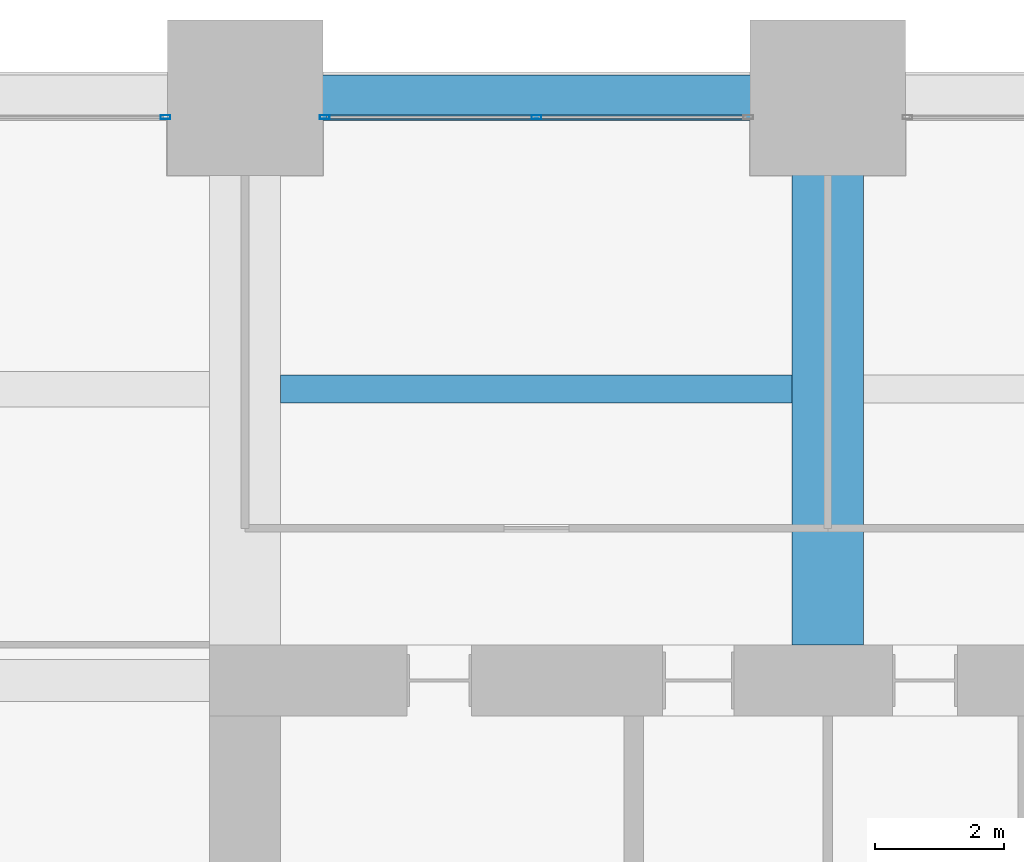
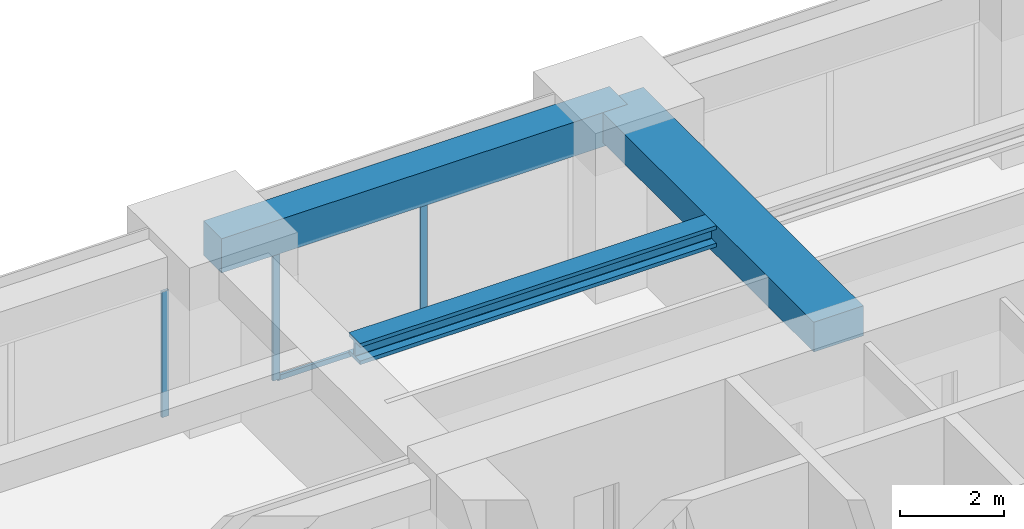
# One storey, part 28 of 39: 4 members, 3 beams, 2 elements without a shape of their own.
"""IFC4 building model written with IfcOpenShell, lengths in metres."""

from ifc_helpers import new_model, si_unit, direction, frame, origin, origin_2d, place, context, subcontext, project, spatial, rectangle, hollow_rectangle, i_section, extrude, material, material_profile, profile_set, type_object, element, aggregate, save


model = new_model("IFC4")

# Units and contexts
model_context = context("Model", 3, precision=1e-05, world=origin(), true_north=direction((0.0, 1.0)))
body_context = subcontext(model_context, "Body", "Model", "MODEL_VIEW")
ifc_project = project(units=[si_unit("LENGTHUNIT", "METRE"), si_unit("AREAUNIT", "SQUARE_METRE"), si_unit("VOLUMEUNIT", "CUBIC_METRE"), si_unit("PLANEANGLEUNIT", "RADIAN"), si_unit("MASSUNIT", "GRAM", prefix="KILO")], contexts=[model_context])

# Site, building, storey
site_placement = place(None, origin())
site = spatial("IfcSite", under=ifc_project, at=site_placement, CompositionType="ELEMENT")
building_placement = place(site_placement, origin())
building = spatial("IfcBuilding", under=site, at=building_placement, Name="Zorevar Civic Tower", CompositionType="ELEMENT")
storey_placement = place(building_placement, frame((0.0, 0.0, 121.0)))
storey = spatial("IfcBuildingStorey", under=building, at=storey_placement, Name="L29", CompositionType="ELEMENT", Elevation=121.0)

# Beam
ifc_material_1 = material(Name="Concrete C50/60", Category="concrete")
ifc_material_profile_1 = material_profile(ifc_material_1, rectangle(XDim=1.10009765625, YDim=0.699951171875, at=origin_2d()), Name="RC 1100x700")
ifc_profile_set_1 = profile_set([ifc_material_profile_1], Name="Concrete C50/60")
beam_type_1 = type_object("IfcBeamType", Name="Beam RC 1100x700", PredefinedType="BEAM", material=ifc_profile_set_1)
beam_1_placement = place(storey_placement, frame((27.0, 36.550048828125, 3.39990234375), z_axis=(0.0, 1.0, 0.0), x_axis=(-1.0, 0.0, 0.0)))
element("IfcBeam", 1, at=beam_1_placement, inside=storey, type_object=beam_type_1, Name="Girder L30", PredefinedType="BEAM", context=body_context, shape_type="SweptSolid", body=[
    extrude(rectangle(XDim=1.10009765625, YDim=0.699951171875, at=origin_2d()), origin(), (0.0, 0.0, 1.0), 8.449951171875),
])

# Curtain wall, member
ifc_material_2 = material(Name="Dark grey solar-control glass in black aluminium frame", Category="aluminium")
curtain_wall_type = type_object("IfcCurtainWallType", Name="Curtain wall CW3 mid zone", PredefinedType="NOTDEFINED", material=ifc_material_2)
curtain_wall_1_placement = place(storey_placement, origin())
curtain_wall_1 = element("IfcCurtainWall", 2, at=curtain_wall_1_placement, inside=storey, type_object=curtain_wall_type, Name="CW3 L29", PredefinedType="NOTDEFINED")
ifc_material_3 = material(Name="Aluminium, black anodised", Category="aluminium")
ifc_material_profile_2 = material_profile(ifc_material_3, hollow_rectangle(XDim=0.06005859375, YDim=0.14990234375, WallThickness=0.00390625, at=origin_2d()), Name="AL 150x60x4")
ifc_profile_set_2 = profile_set([ifc_material_profile_2], Name="Aluminium, black anodised")
member_type_1 = type_object("IfcMemberType", Name="CW3 mullion AL 150x60x4", PredefinedType="MULLION", material=ifc_profile_set_2)
member_1_placement = place(storey_placement, frame((16.77001953125, 44.699951171875, 0.0), z_axis=(0.0, 0.0, 1.0), x_axis=(0.0, 1.0, 0.0)))
member_1 = element("IfcMember", 3, at=member_1_placement, type_object=member_type_1, Name="CW3 mullion 3", PredefinedType="MULLION", context=body_context, shape_type="SweptSolid", body=[
    extrude(hollow_rectangle(XDim=0.06005859375, YDim=0.14990234375, WallThickness=0.00390625, at=origin_2d()), origin(), (0.0, 0.0, 1.0), 2.949951171875),
])
aggregate(curtain_wall_1, [member_1])

# Curtain wall, members
curtain_wall_2_placement = place(storey_placement, origin())
curtain_wall_2 = element("IfcCurtainWall", 4, at=curtain_wall_2_placement, inside=storey, type_object=curtain_wall_type, Name="CW3 L29", PredefinedType="NOTDEFINED")
member_2_placement = place(storey_placement, frame((19.22998046875, 44.699951171875, 0.0), z_axis=(0.0, 0.0, 1.0), x_axis=(0.0, 1.0, 0.0)))
member_2 = element("IfcMember", 5, at=member_2_placement, type_object=member_type_1, Name="CW3 mullion 1", PredefinedType="MULLION", context=body_context, shape_type="SweptSolid", body=[
    extrude(hollow_rectangle(XDim=0.06005859375, YDim=0.14990234375, WallThickness=0.00390625, at=origin_2d()), origin(), (0.0, 0.0, 1.0), 2.949951171875),
])
member_3_placement = place(storey_placement, frame((22.5, 44.699951171875, 0.06005859375), z_axis=(0.0, 0.0, 1.0), x_axis=(0.0, 1.0, 0.0)))
member_3 = element("IfcMember", 6, at=member_3_placement, type_object=member_type_1, Name="CW3 mullion 2", PredefinedType="MULLION", context=body_context, shape_type="SweptSolid", body=[
    extrude(hollow_rectangle(XDim=0.06005859375, YDim=0.14990234375, WallThickness=0.00390625, at=origin_2d()), origin(), (0.0, 0.0, 1.0), 2.889892578125),
])
ifc_material_4 = material(Name="Aluminium, black anodised", Category="aluminium")
ifc_material_profile_3 = material_profile(ifc_material_4, hollow_rectangle(XDim=0.06005859375, YDim=0.1201171875, WallThickness=0.0029296875, at=origin_2d()), Name="AL 120x60x3")
ifc_profile_set_3 = profile_set([ifc_material_profile_3], Name="Aluminium, black anodised")
member_type_2 = type_object("IfcMemberType", Name="CW3 transom AL 120x60x3", PredefinedType="USERDEFINED", material=ifc_profile_set_3)
member_4_placement = place(storey_placement, frame((19.260009765625, 44.699951171875, 0.030029296875), z_axis=(1.0, 0.0, 0.0), x_axis=(0.0, 1.0, 0.0)))
member_4 = element("IfcMember", 7, at=member_4_placement, type_object=member_type_2, Name="CW3 sill transom", ObjectType="TRANSOM", PredefinedType="USERDEFINED", context=body_context, shape_type="SweptSolid", body=[
    extrude(hollow_rectangle(XDim=0.06005859375, YDim=0.1201171875, WallThickness=0.0029296875, at=origin_2d()), origin(), (0.0, 0.0, 1.0), 6.47998046875),
])
aggregate(curtain_wall_2, [member_2, member_3, member_4])

# Beams
ifc_material_5 = material(Name="Steel S460M (HISTAR 460)", Category="steel")
ifc_material_profile_4 = material_profile(ifc_material_5, i_section(OverallWidth=0.431884765625, OverallDepth=0.498046875, WebThickness=0.0556640625, FlangeThickness=0.0888671875, FilletRadius=0.014892578125, at=origin_2d()), Name="HD 400x744")
ifc_profile_set_4 = profile_set([ifc_material_profile_4], Name="Steel S460M (HISTAR 460)")
beam_type_2 = type_object("IfcBeamType", Name="Core bay beam HD 400x744", PredefinedType="BEAM", material=ifc_profile_set_4)
beam_2_placement = place(storey_placement, frame((18.550048828125, 40.5, 3.5009765625), z_axis=(1.0, 0.0, 0.0), x_axis=(0.0, 1.0, 0.0)))
element("IfcBeam", 8, at=beam_2_placement, inside=storey, type_object=beam_type_2, Name="Secondary beam L30", PredefinedType="BEAM", context=body_context, shape_type="SweptSolid", body=[
    extrude(i_section(OverallWidth=0.431884765625, OverallDepth=0.498046875, WebThickness=0.0556640625, FlangeThickness=0.0888671875, FilletRadius=0.014892578125, at=origin_2d()), origin(), (0.0, 0.0, 1.0), 7.89990234375),
])
ifc_material_6 = material(Name="Concrete C50/60", Category="concrete")
ifc_material_profile_5 = material_profile(ifc_material_6, rectangle(XDim=0.699951171875, YDim=0.800048828125, at=origin_2d()), Name="RC 700x800")
ifc_profile_set_5 = profile_set([ifc_material_profile_5], Name="Concrete C50/60")
beam_type_3 = type_object("IfcBeamType", Name="Edge beam RC 700x800", PredefinedType="SPANDREL", material=ifc_profile_set_5)
beam_3_placement = place(storey_placement, frame((18.0, 45.0, 3.35009765625), z_axis=(1.0, 0.0, 0.0), x_axis=(0.0, 1.0, 0.0)))
element("IfcBeam", 9, at=beam_3_placement, inside=storey, type_object=beam_type_3, Name="Edge beam L30", PredefinedType="SPANDREL", context=body_context, shape_type="SweptSolid", body=[
    extrude(rectangle(XDim=0.699951171875, YDim=0.800048828125, at=origin_2d()), origin(), (0.0, 0.0, 1.0), 9.0),
])

save(model, "model.ifc")
